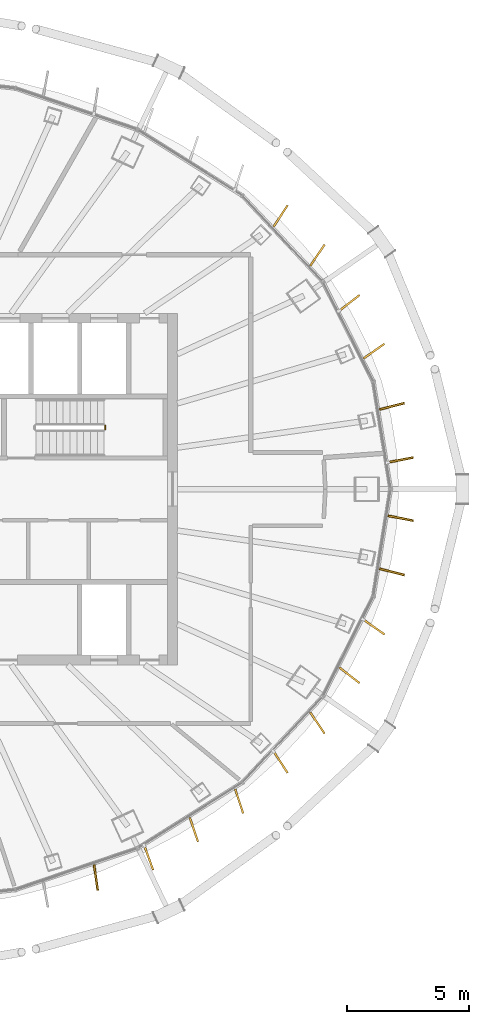
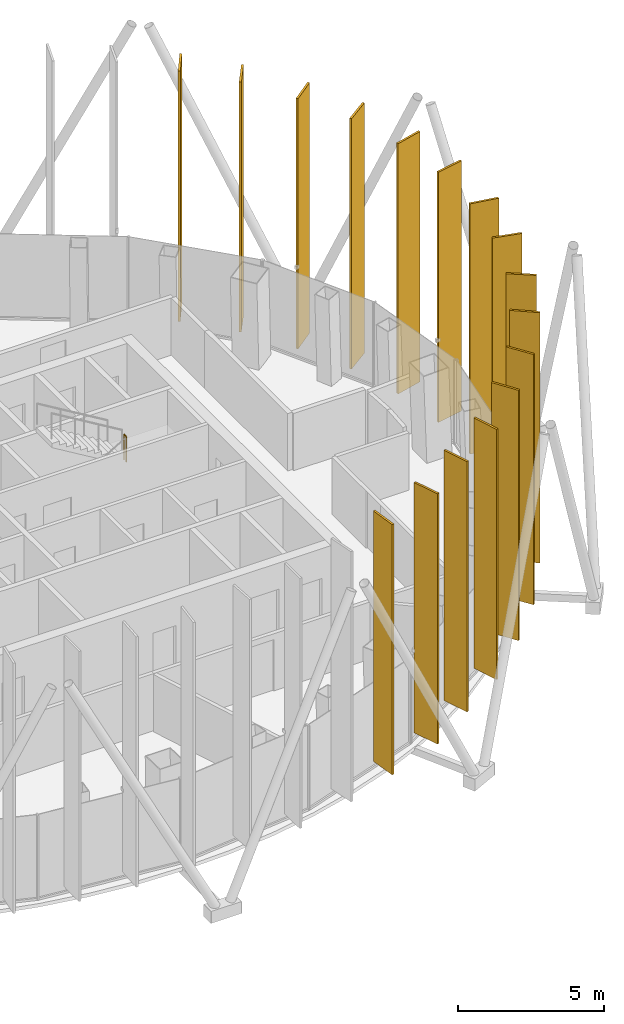
# One storey, part 18 of 19: 16 shading devices, 1 railing.
"""IFC4 building model written with IfcOpenShell, lengths in metres."""

from ifc_helpers import new_model, si_unit, direction, frame, origin, origin_2d, place, context, subcontext, project, spatial, rectangle, circle, extrude, material, layer, layer_set, type_object, element, save


model = new_model("IFC4")

# Units and contexts
model_context = context("Model", 3, precision=1e-05, world=origin(), true_north=direction((0.0, 1.0)))
body_context = subcontext(model_context, "Body", "Model", "MODEL_VIEW")
ifc_project = project(units=[si_unit("LENGTHUNIT", "METRE"), si_unit("AREAUNIT", "SQUARE_METRE"), si_unit("VOLUMEUNIT", "CUBIC_METRE"), si_unit("PLANEANGLEUNIT", "RADIAN"), si_unit("MASSUNIT", "GRAM", prefix="KILO")], contexts=[model_context])

# Site, building, storey
site_placement = place(None, origin())
site = spatial("IfcSite", under=ifc_project, at=site_placement, CompositionType="ELEMENT")
building_placement = place(site_placement, origin())
building = spatial("IfcBuilding", under=site, at=building_placement, Name="Siaravel Broadcast Tower", CompositionType="ELEMENT")
storey_placement = place(building_placement, frame((0.0, 0.0, 250.39990234375)))
storey = spatial("IfcBuildingStorey", under=building, at=storey_placement, Name="L61", CompositionType="ELEMENT", Elevation=250.39990234375)

# Shading devices
ifc_material_1 = material(Name="Bronze anodised aluminium", Category="aluminium")
ifc_layer = layer(ifc_material_1, 0.080078125)
ifc_layer_set = layer_set([ifc_layer], Name="Bronze anodised aluminium")
shading_device_type = type_object("IfcShadingDeviceType", Name="Bronze fin zone 4", PredefinedType="USERDEFINED", material=ifc_layer_set)
for number, where, z_axis, x_axis, name in (
    (1, (21.14208984375, 1.193359375, 0.300048828125), (0.0, 0.0, 1.0), (0.981879749, 0.189505035, 0.0), "Bronze fin L61-01"),
    (2, (20.787109375, 3.390869140625, 0.300048828125), (0.0, 0.0, 1.0), (0.968487165, 0.249063468, 0.0), "Bronze fin L61-02"),
    (3, (20.05224609375, 5.65087890625, 0.300048828125), (0.0, 0.0, 1.0), (0.81719721, 0.576358152, 0.0), "Bronze fin L61-03"),
    (4, (19.04833984375, 7.62744140625, 0.300048828125), (0.0, 0.0, 1.0), (0.790980122, 0.611841847, 0.0), "Bronze fin L61-04"),
    (5, (17.73583984375, 9.580810546875, 0.300048828125), (0.0, 0.0, 1.0), (0.561614141, 0.827399273, 0.0), "Bronze fin L61-05"),
    (6, (16.22802734375, 11.18701171875, 0.300048828125), (0.0, 0.0, 1.0), (0.546609208, 0.837387828, 0.0), "Bronze fin L61-06"),
    (7, (8.66162109375, -15.91162109375, 0.300048828125), (0.0, 0.0, 1.0), (0.141682207, -0.989912194, 0.0), "Bronze fin L61-45"),
    (8, (10.82763671875, -15.11181640625, 0.300048828125), (0.0, 0.0, 1.0), (0.339173053, -0.940723998, 0.0), "Bronze fin L61-46"),
    (9, (12.6748046875, -13.94775390625, 0.300048828125), (0.0, 0.0, 1.0), (0.319773042, -0.94749417, 0.0), "Bronze fin L61-47"),
    (10, (14.5283203125, -12.78173828125, 0.300048828125), (0.0, 0.0, 1.0), (0.311713096, -0.950176271, 0.0), "Bronze fin L61-48"),
    (11, (16.22802734375, -11.18701171875, 0.300048828125), (0.0, 0.0, 1.0), (0.546609208, -0.837387828, 0.0), "Bronze fin L61-49"),
    (12, (17.73583984375, -9.580810546875, 0.300048828125), (0.0, 0.0, 1.0), (0.561614141, -0.827399273, 0.0), "Bronze fin L61-50"),
    (13, (19.04833984375, -7.62744140625, 0.300048828125), (0.0, 0.0, 1.0), (0.790980122, -0.611841847, 0.0), "Bronze fin L61-51"),
    (14, (20.05224609375, -5.65087890625, 0.300048828125), (0.0, 0.0, 1.0), (0.81719721, -0.576358152, 0.0), "Bronze fin L61-52"),
    (15, (20.787109375, -3.390869140625, 0.300048828125), (0.0, 0.0, 1.0), (0.968487165, -0.249063468, 0.0), "Bronze fin L61-53"),
    (16, (21.14208984375, -1.193359375, 0.300048828125), (0.0, 0.0, 1.0), (0.981879749, -0.189505035, 0.0), "Bronze fin L61-54"),
):
    element("IfcShadingDevice", number, at=place(storey_placement, frame(where, z_axis=z_axis, x_axis=x_axis)), inside=storey, type_object=shading_device_type, Name=name, ObjectType="FIN", PredefinedType="USERDEFINED", context=body_context, shape_type="SweptSolid", body=[
        extrude(rectangle(XDim=1.050048828125, YDim=0.080078125, at=origin_2d()), origin(), (0.0, 0.0, 1.0), 10.5),
    ])

# Railing
ifc_material_2 = material(Name="Stainless steel 316L", Category="steel")
railing_type = type_object("IfcRailingType", Name="Stair guard 1100", PredefinedType="GUARDRAIL", material=ifc_material_2)
railing_placement = place(storey_placement, frame((9.050048828125, 2.449951171875, 1.85009765625)))
element("IfcRailing", 17, at=railing_placement, inside=storey, type_object=railing_type, Name="L61 ST-2 stair guard 2", PredefinedType="GUARDRAIL", context=body_context, shape_type="SweptSolid", body=[
    extrude(circle(Radius=0.02392578125, at=origin_2d()), frame((0.0, 0.0, 1.076171875), z_axis=(0.0, 1.0, 0.0), x_axis=(-1.0, 0.0, 0.0)), (0.0, 0.0, 1.0), 0.150146484375),
    extrude(circle(Radius=0.02099609375, at=origin_2d()), origin(), (0.0, 0.0, 1.0), 1.052001953125),
    extrude(circle(Radius=0.02099609375, at=origin_2d()), frame((0.0, 0.150146484375, 0.0)), (0.0, 0.0, 1.0), 1.052001953125),
])

save(model, "model.ifc")
